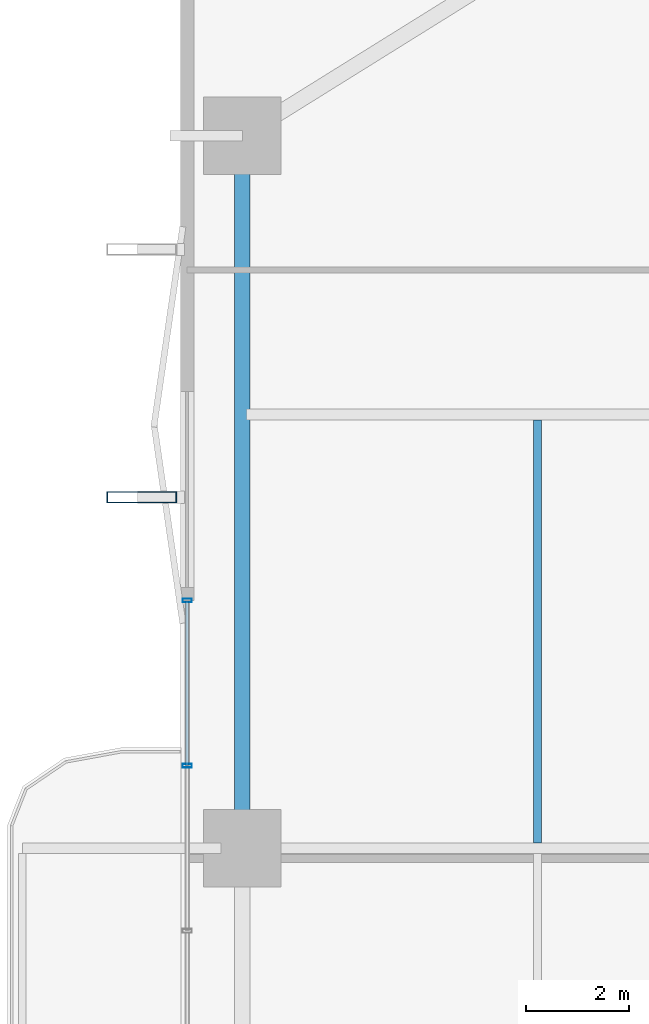
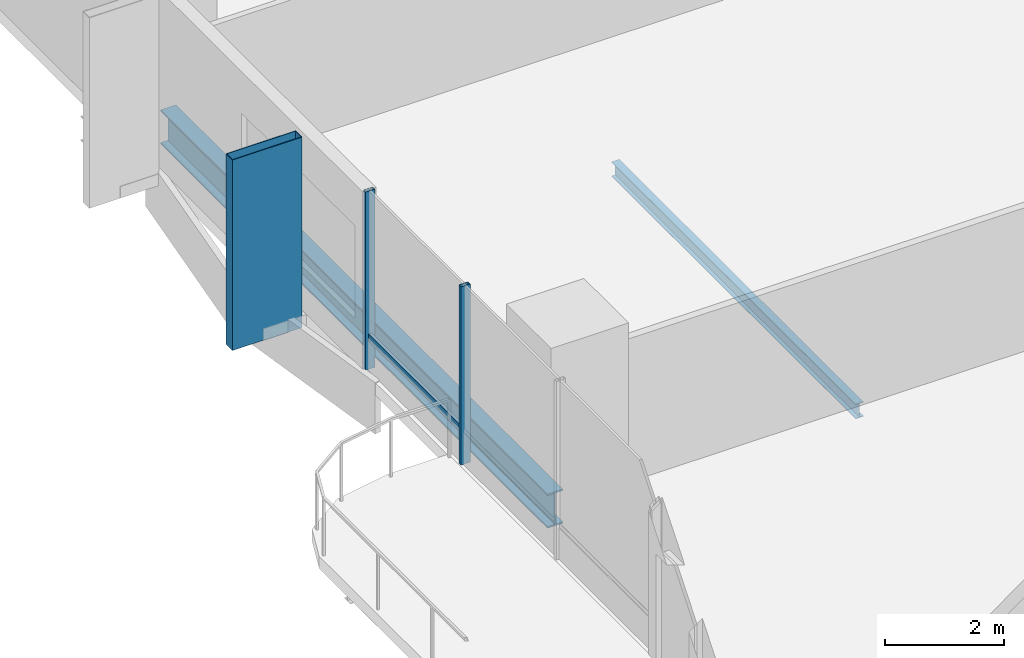
# One storey, part 9 of 23: 4 members, 2 beams, 1 element without a shape of its own.
"""IFC4 building model written with IfcOpenShell, lengths in metres."""

import ifcopenshell
import ifcopenshell.guid

model = None  # the IFC model being written
_history = None  # IfcOwnerHistory: only IFC2X3 demands one
_inside = {}  # id of a spatial element -> (the spatial element, [elements in it])
_under = {}  # id of a project, library or spatial element -> (it, [spatial elements below it])
_declared = {}  # id of a project -> (the project, [libraries it declares])
_typed = {}  # id of a type object -> (the type object, [elements of that type])
_made_of = {}  # id of a material, layer set ... -> (it, [elements and type objects made of it])


def new_model(schema):
    """Start an empty IFC model of exactly this schema.

    Asked for "IFC4X3", IfcOpenShell would pick the latest addendum, in which some entities
    have other attributes; the version numbers below select the first issue.
    IFC2X3 requires an IfcOwnerHistory on every rooted entity: one is made here for all.
    """
    global model, _history
    if schema == "IFC4X3":
        model = ifcopenshell.file(schema_version=(4, 3, 0, 0))
    else:
        model = ifcopenshell.file(schema=schema)
    _inside.clear()
    _under.clear()
    _declared.clear()
    _typed.clear()
    _made_of.clear()
    _history = None
    if model.schema == "IFC2X3":
        org = make("IfcOrganization", Name="unknown")
        user = make(
            "IfcPersonAndOrganization",
            ThePerson=make("IfcPerson", FamilyName="unknown"),
            TheOrganization=org,
        )
        app = make(
            "IfcApplication",
            ApplicationDeveloper=org,
            Version="unknown",
            ApplicationFullName="unknown",
            ApplicationIdentifier="unknown",
        )
        _history = make(
            "IfcOwnerHistory",
            OwningUser=user,
            OwningApplication=app,
            ChangeAction="ADDED",
            CreationDate=0,
        )
    return model


def make(cls, **values):
    """One entity of the class cls with the attributes given. An attribute that is None is left unset."""
    return model.create_entity(
        cls, **{name: value for name, value in values.items() if value is not None}
    )


def rooted(cls, **values):
    """An entity with a GlobalId (a new one), such as an element, a storey or a relation."""
    return make(cls, GlobalId=ifcopenshell.guid.new(), OwnerHistory=_history, **values)


def si_unit(unit_type, name, prefix=None):
    """IfcSIUnit, for example si_unit("LENGTHUNIT", "METRE", prefix="MILLI")."""
    return make("IfcSIUnit", UnitType=unit_type, Prefix=prefix, Name=name)


def assignment(units):
    """IfcUnitAssignment: the units of a project."""
    return None if units is None else make("IfcUnitAssignment", Units=units)


def point(xyz):
    """IfcCartesianPoint."""
    return None if xyz is None else make("IfcCartesianPoint", Coordinates=xyz)


def direction(xyz):
    """IfcDirection."""
    return None if xyz is None else make("IfcDirection", DirectionRatios=xyz)


def frame(location, z_axis=None, x_axis=None):
    """IfcAxis2Placement3D, a coordinate frame: its origin and axes. An axis left out is left unset."""
    return make(
        "IfcAxis2Placement3D",
        Location=point(location),
        Axis=direction(z_axis),
        RefDirection=direction(x_axis),
    )


def frame_2d(location, x_axis=None):
    """IfcAxis2Placement2D, a coordinate frame in the plane: its origin and x axis."""
    return make(
        "IfcAxis2Placement2D", Location=point(location), RefDirection=direction(x_axis)
    )


def origin():
    """The frame at (0, 0, 0) with its axes left unset."""
    return frame((0.0, 0.0, 0.0))


def origin_2d():
    """The frame at (0, 0) in the plane with its x axis left unset."""
    return frame_2d((0.0, 0.0))


def place(relative_to, where):
    """IfcLocalPlacement: puts the frame where relative to a parent placement (None: the world)."""
    return make(
        "IfcLocalPlacement", PlacementRelTo=relative_to, RelativePlacement=where
    )


def context(
    kind, dimensions, precision=None, world=None, true_north=None, identifier=None
):
    """IfcGeometricRepresentationContext, for example the 3D "Model" context."""
    return make(
        "IfcGeometricRepresentationContext",
        ContextIdentifier=identifier,
        ContextType=kind,
        CoordinateSpaceDimension=dimensions,
        Precision=precision,
        WorldCoordinateSystem=world,
        TrueNorth=true_north,
    )


def subcontext(parent, identifier, kind, view, scale=None):
    """IfcGeometricRepresentationSubContext, for example "Body" below "Model"."""
    return make(
        "IfcGeometricRepresentationSubContext",
        ContextIdentifier=identifier,
        ContextType=kind,
        ParentContext=parent,
        TargetScale=scale,
        TargetView=view,
    )


def project(units=None, contexts=None):
    """IfcProject with its units and contexts."""
    return rooted(
        "IfcProject",
        Name="project",
        RepresentationContexts=contexts,
        UnitsInContext=assignment(units),
    )


def spatial(cls, under=None, at=None, **own):
    """A site, building, storey or space (cls), placed at a placement, below another one or the project."""
    s = rooted(cls, ObjectPlacement=at, **own)
    if under is not None:
        _under.setdefault(under.id(), (under, []))[1].append(s)
    return s


def profile(cls, at=None, kind="AREA", **sizes):
    """A parametric profile (cls). Its sizes go by their IFC names, for example OverallWidth=200.0."""
    return make(cls, ProfileType=kind, Position=at, **sizes)


def hollow_rectangle(**sizes):
    """IfcRectangleHollowProfileDef."""
    return profile("IfcRectangleHollowProfileDef", **sizes)


def i_section(**sizes):
    """IfcIShapeProfileDef."""
    return profile("IfcIShapeProfileDef", **sizes)


def extrude(swept, where, along, depth):
    """IfcExtrudedAreaSolid: the profile swept, set in the frame where, extruded along a direction by depth."""
    return make(
        "IfcExtrudedAreaSolid",
        SweptArea=swept,
        Position=where,
        ExtrudedDirection=direction(along),
        Depth=depth,
    )


def shape(context_of_items, identifier, shape_type, items):
    """IfcShapeRepresentation: the items that make up one representation, for example the "Body"."""
    return make(
        "IfcShapeRepresentation",
        ContextOfItems=context_of_items,
        RepresentationIdentifier=identifier,
        RepresentationType=shape_type,
        Items=items,
    )


def material(Name=None, Category=None):
    """IfcMaterial."""
    return make("IfcMaterial", Name=Name, Category=Category)


def layer(
    of_material, thickness, ventilated=None, Name=None, Category=None, Priority=None
):
    """IfcMaterialLayer: one layer of a wall or slab, of a material (None: an air gap)."""
    return make(
        "IfcMaterialLayer",
        Material=of_material,
        LayerThickness=thickness,
        IsVentilated=ventilated,
        Name=Name,
        Category=Category,
        Priority=Priority,
    )


def layer_set(layers, Name=None):
    """IfcMaterialLayerSet."""
    return make("IfcMaterialLayerSet", MaterialLayers=layers, LayerSetName=Name)


def material_profile(
    of_material, cross_section, Name=None, Category=None, Priority=None
):
    """IfcMaterialProfile: a cross section and its material."""
    return make(
        "IfcMaterialProfile",
        Name=Name,
        Material=of_material,
        Profile=cross_section,
        Priority=Priority,
        Category=Category,
    )


def profile_set(profiles, Name=None, composite=None):
    """IfcMaterialProfileSet."""
    return make(
        "IfcMaterialProfileSet",
        Name=Name,
        MaterialProfiles=profiles,
        CompositeProfile=composite,
    )


def made_of(thing, what):
    """Note that an element or type object is made of a material, layer set ...; save() writes the relation."""
    if what is not None:
        _made_of.setdefault(what.id(), (what, []))[1].append(thing)
    return thing


def type_object(cls, material=None, **own):
    """A type object (cls), such as IfcWallType, which elements share."""
    return made_of(rooted(cls, **own), material)


def element(
    cls,
    number,
    at=None,
    inside=None,
    cuts=None,
    type_object=None,
    material=None,
    context=None,
    identifier="Body",
    shape_type=None,
    held_by="IfcProductDefinitionShape",
    body=None,
    shapes=None,
    **own,
):
    """One element of the class cls, such as IfcWall. Its Tag is "e" and its number.

    at: its placement. inside: the storey or other place that contains it. cuts: it is an
    opening in that element (IfcRelVoidsElement). A single representation is given by context,
    identifier, shape_type and body (its items); several are given by shapes. held_by: the class
    of the entity that holds the representations. save() writes the other relations.
    """
    e = rooted(cls, Tag="e%d" % number, ObjectPlacement=at, **own)
    if body is not None:
        shapes = [shape(context, identifier, shape_type, body)]
    if shapes is not None:
        e.Representation = make(held_by, Representations=shapes)
    if inside is not None:
        _inside.setdefault(inside.id(), (inside, []))[1].append(e)
    if cuts is not None:
        rooted(
            "IfcRelVoidsElement", RelatingBuildingElement=cuts, RelatedOpeningElement=e
        )
    if type_object is not None:
        _typed.setdefault(type_object.id(), (type_object, []))[1].append(e)
    return made_of(e, material)


def aggregate(whole, parts):
    """IfcRelAggregates: a whole, such as a stair, and the parts it consists of."""
    return rooted("IfcRelAggregates", RelatingObject=whole, RelatedObjects=parts)


def save(model, path):
    """Write the relations noted so far, then the file.

    IfcRelAggregates (storeys below a building ...), IfcRelContainedInSpatialStructure (elements
    in a storey), IfcRelDefinesByType, IfcRelAssociatesMaterial and IfcRelDeclares: one each for
    every whole, place, type object, material and project.
    """
    for whole, parts in _under.values():
        aggregate(whole, parts)
    for where, things in _inside.values():
        rooted(
            "IfcRelContainedInSpatialStructure",
            RelatedElements=things,
            RelatingStructure=where,
        )
    for kind, things in _typed.values():
        rooted("IfcRelDefinesByType", RelatedObjects=things, RelatingType=kind)
    for what, things in _made_of.values():
        rooted("IfcRelAssociatesMaterial", RelatedObjects=things, RelatingMaterial=what)
    for by, libraries in _declared.values():
        rooted("IfcRelDeclares", RelatingContext=by, RelatedDefinitions=libraries)
    model.write(path)


model = new_model("IFC4")

# Units and contexts
model_context = context("Model", 3, precision=1e-05, world=origin(), true_north=direction((0.0, 1.0)))
body_context = subcontext(model_context, "Body", "Model", "MODEL_VIEW")
ifc_project = project(units=[si_unit("LENGTHUNIT", "METRE"), si_unit("AREAUNIT", "SQUARE_METRE"), si_unit("VOLUMEUNIT", "CUBIC_METRE"), si_unit("PLANEANGLEUNIT", "RADIAN"), si_unit("MASSUNIT", "GRAM", prefix="KILO")], contexts=[model_context])

# Site, building, storey
site_placement = place(None, origin())
site = spatial("IfcSite", under=ifc_project, at=site_placement, CompositionType="ELEMENT")
building_placement = place(site_placement, origin())
building = spatial("IfcBuilding", under=site, at=building_placement, Name="Belovzor Exchange Tower", CompositionType="ELEMENT")
storey_placement = place(building_placement, frame((0.0, 0.0, 84.60009765625)))
storey = spatial("IfcBuildingStorey", under=building, at=storey_placement, Name="L20", CompositionType="ELEMENT", Elevation=84.60009765625)

# Member
ifc_material_1 = material(Name="Extruded Architectural Terracotta on Steel S355 Carrier", Category="masonry")
ifc_material_profile_1 = material_profile(ifc_material_1, hollow_rectangle(XDim=0.219970703125, YDim=1.35009765625, WallThickness=0.013916015625, at=origin_2d()))
ifc_profile_set_1 = profile_set([ifc_material_profile_1], Name="Extruded Architectural Terracotta on Steel S355 Carrier")
member_type_1 = type_object("IfcMemberType", Name="Base Arc Sweeping Terracotta Pylon Fin 1450", PredefinedType="USERDEFINED", material=ifc_profile_set_1)
member_1_placement = place(storey_placement, frame((0.14990234375, 35.60009765625, -0.25), z_axis=(0.0, 0.0, 1.0), x_axis=(0.0, 1.0, 0.0)))
element("IfcMember", 1, at=member_1_placement, inside=storey, type_object=member_type_1, Name="FIN-TC145 Terracotta Facade Fin L20 W3", ObjectType="FIN", PredefinedType="USERDEFINED", context=body_context, shape_type="SweptSolid", body=[
    extrude(hollow_rectangle(XDim=0.219970703125, YDim=1.35009765625, WallThickness=0.013916015625, at=origin_2d()), origin(), (0.0, 0.0, 1.0), 3.89990234375),
])

# Beam
ifc_material_2 = material(Name="Steel S355", Category="steel")
ifc_material_profile_2 = material_profile(ifc_material_2, i_section(OverallWidth=0.14990234375, OverallDepth=0.300048828125, WebThickness=0.007080078125, FlangeThickness=0.0107421875, at=origin_2d()))
ifc_profile_set_2 = profile_set([ifc_material_profile_2], Name="Steel S355")
beam_type_1 = type_object("IfcBeamType", Name="Secondary Trim Floor Joist IPE 300", PredefinedType="BEAM", material=ifc_profile_set_2)
beam_1_placement = place(storey_placement, frame((7.81494140625, 28.905029296875, -0.400146484375), z_axis=(0.0, 1.0, 0.0), x_axis=(-1.0, 0.0, 0.0)))
element("IfcBeam", 2, at=beam_1_placement, inside=storey, type_object=beam_type_1, Name="FJ-300 Secondary Trim Floor Joist IPE 300", PredefinedType="BEAM", context=body_context, shape_type="SweptSolid", body=[
    extrude(i_section(OverallWidth=0.14990234375, OverallDepth=0.300048828125, WebThickness=0.007080078125, FlangeThickness=0.0107421875, at=origin_2d()), origin(), (0.0, 0.0, 1.0), 8.18994140625),
])

# Curtain wall, members
ifc_material_3 = material(Name="Anodised Aluminium Framing", Category="aluminium")
ifc_layer = layer(ifc_material_3, 0.179931640625)
ifc_layer_set = layer_set([ifc_layer], Name="Anodised Aluminium Framing")
curtain_wall_type = type_object("IfcCurtainWallType", Name="Recessed Loggia Low-Iron Triple-Glazed Curtain Wall", PredefinedType="NOTDEFINED", material=ifc_layer_set)
curtain_wall_placement = place(storey_placement, origin())
curtain_wall = element("IfcCurtainWall", 3, at=curtain_wall_placement, inside=storey, type_object=curtain_wall_type, Name="CW3 Recessed Loggia Low-Iron Triple-Glazed Curtain Wall L20", PredefinedType="NOTDEFINED")
ifc_material_4 = material(Name="Steel S355", Category="steel")
ifc_material_profile_3 = material_profile(ifc_material_4, hollow_rectangle(XDim=0.074951171875, YDim=0.179931640625, WallThickness=0.0048828125, at=origin_2d()))
ifc_profile_set_3 = profile_set([ifc_material_profile_3], Name="Steel S355")
member_type_2 = type_object("IfcMemberType", Name="Thermally Broken Curtain Wall Mullion 180x75", PredefinedType="MULLION", material=ifc_profile_set_3)
member_2_placement = place(storey_placement, frame((1.030029296875, 30.39990234375, 0.0), z_axis=(0.0, 0.0, 1.0), x_axis=(0.0, 1.0, 0.0)))
member_2 = element("IfcMember", 4, at=member_2_placement, type_object=member_type_2, Name="CW-M180 Curtain Wall Mullion 3", PredefinedType="MULLION", context=body_context, shape_type="SweptSolid", body=[
    extrude(hollow_rectangle(XDim=0.074951171875, YDim=0.179931640625, WallThickness=0.0048828125, at=origin_2d()), origin(), (0.0, 0.0, 1.0), 3.64990234375),
])
member_3_placement = place(storey_placement, frame((1.030029296875, 33.60009765625, 0.0), z_axis=(0.0, 0.0, 1.0), x_axis=(0.0, 1.0, 0.0)))
member_3 = element("IfcMember", 5, at=member_3_placement, type_object=member_type_2, Name="CW-M180 Curtain Wall Mullion 4", PredefinedType="MULLION", context=body_context, shape_type="SweptSolid", body=[
    extrude(hollow_rectangle(XDim=0.074951171875, YDim=0.179931640625, WallThickness=0.0048828125, at=origin_2d()), origin(), (0.0, 0.0, 1.0), 3.64990234375),
])
ifc_material_5 = material(Name="Steel S355", Category="steel")
ifc_material_profile_4 = material_profile(ifc_material_5, hollow_rectangle(XDim=0.06005859375, YDim=0.14990234375, WallThickness=0.00390625, at=origin_2d()))
ifc_profile_set_4 = profile_set([ifc_material_profile_4], Name="Steel S355")
member_type_3 = type_object("IfcMemberType", Name="Thermally Broken Curtain Wall Transom 150x60", PredefinedType="USERDEFINED", material=ifc_profile_set_4)
member_4_placement = place(storey_placement, frame((1.030029296875, 30.407958984375, 0.64990234375), z_axis=(0.0, 1.0, 0.0), x_axis=(-1.0, 0.0, 0.0)))
member_4 = element("IfcMember", 6, at=member_4_placement, type_object=member_type_3, Name="CW-T150 Curtain Wall Transom 3", ObjectType="TRANSOM", PredefinedType="USERDEFINED", context=body_context, shape_type="SweptSolid", body=[
    extrude(hollow_rectangle(XDim=0.06005859375, YDim=0.14990234375, WallThickness=0.00390625, at=origin_2d()), origin(), (0.0, 0.0, 1.0), 3.18408203125),
])
aggregate(curtain_wall, [member_2, member_3, member_4])

# Beam
ifc_material_6 = material(Name="Steel S355", Category="steel")
ifc_material_profile_5 = material_profile(ifc_material_6, i_section(OverallWidth=0.300048828125, OverallDepth=0.699951171875, WebThickness=0.01708984375, FlangeThickness=0.031982421875, at=origin_2d()))
ifc_profile_set_5 = profile_set([ifc_material_profile_5], Name="Steel S355")
beam_type_2 = type_object("IfcBeamType", Name="Zone 1 Primary Perimeter Girder HEB 700", PredefinedType="BEAM", material=ifc_profile_set_5)
beam_2_placement = place(storey_placement, frame((2.10009765625, 42.18798828125, -0.60009765625), z_axis=(0.0, -1.0, 0.0), x_axis=(1.0, 0.0, 0.0)))
element("IfcBeam", 7, at=beam_2_placement, inside=storey, type_object=beam_type_2, Name="FG-Z1 Zone 1 Primary Perimeter Girder HEB 700", PredefinedType="BEAM", context=body_context, shape_type="SweptSolid", body=[
    extrude(i_section(OverallWidth=0.300048828125, OverallDepth=0.699951171875, WebThickness=0.01708984375, FlangeThickness=0.031982421875, at=origin_2d()), origin(), (0.0, 0.0, 1.0), 12.97509765625),
])

save(model, "model.ifc")
